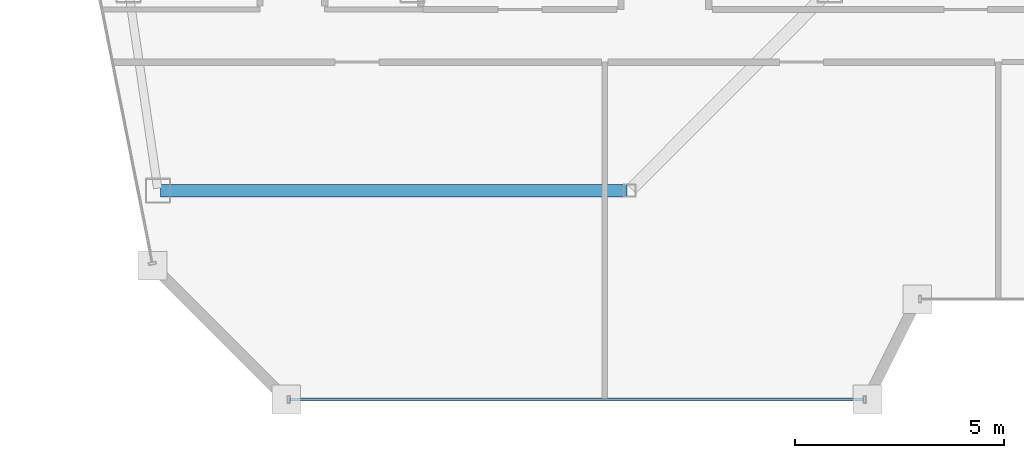
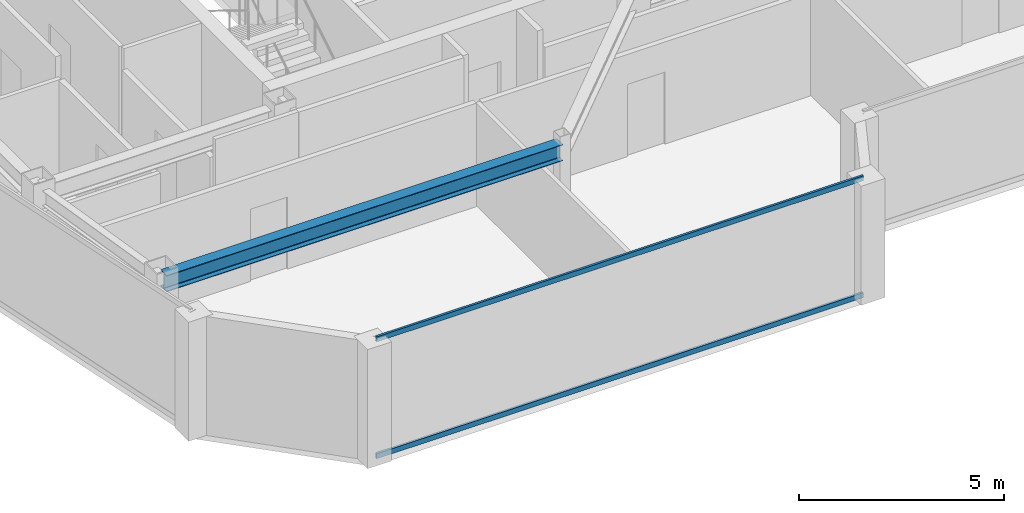
# One storey, part 4 of 24: 2 members, 1 beam, 1 element without a shape of its own.
"""IFC4 building model written with IfcOpenShell, lengths in metres."""

from ifc_helpers import new_model, si_unit, direction, frame, origin, origin_2d, place, context, subcontext, project, spatial, hollow_rectangle, i_section, extrude, material, material_profile, profile_set, type_object, element, aggregate, save


model = new_model("IFC4")

# Units and contexts
model_context = context("Model", 3, precision=1e-05, world=origin(), true_north=direction((0.0, 1.0)))
body_context = subcontext(model_context, "Body", "Model", "MODEL_VIEW")
ifc_project = project(units=[si_unit("LENGTHUNIT", "METRE"), si_unit("AREAUNIT", "SQUARE_METRE"), si_unit("VOLUMEUNIT", "CUBIC_METRE"), si_unit("PLANEANGLEUNIT", "RADIAN"), si_unit("MASSUNIT", "GRAM", prefix="KILO")], contexts=[model_context])

# Site, building, storey
site_placement = place(None, origin())
site = spatial("IfcSite", under=ifc_project, at=site_placement, CompositionType="ELEMENT")
building_placement = place(site_placement, origin())
building = spatial("IfcBuilding", under=site, at=building_placement, Name="Saevonmaru Cultural Tower", CompositionType="ELEMENT")
storey_placement = place(building_placement, frame((0.0, 0.0, 299.0)))
storey = spatial("IfcBuildingStorey", under=building, at=storey_placement, Name="L71", CompositionType="ELEMENT", Elevation=299.0)

# Beam
ifc_material_1 = material(Name="Steel SM355", Category="steel")
ifc_material_profile_1 = material_profile(ifc_material_1, i_section(OverallWidth=0.300048828125, OverallDepth=0.488037109375, WebThickness=0.010986328125, FlangeThickness=0.01806640625, FilletRadius=0.02197265625, at=origin_2d()), Name="H-488x300x11x18")
ifc_profile_set_1 = profile_set([ifc_material_profile_1], Name="Steel SM355")
beam_type = type_object("IfcBeamType", Name="BM-G-H488", PredefinedType="BEAM", material=ifc_profile_set_1)
beam_placement = place(storey_placement, frame((7.568115234375, 37.60009765625, 3.305908203125), z_axis=(1.0, 0.0, 0.0), x_axis=(0.0, 1.0, 0.0)))
element("IfcBeam", 1, at=beam_placement, inside=storey, type_object=beam_type, Name="L71 West Wing Transverse Girder 1", PredefinedType="BEAM", context=body_context, shape_type="SweptSolid", body=[
    extrude(i_section(OverallWidth=0.300048828125, OverallDepth=0.488037109375, WebThickness=0.010986328125, FlangeThickness=0.01806640625, FilletRadius=0.02197265625, at=origin_2d()), origin(), (0.0, 0.0, 1.0), 11.179931640625),
])

# Curtain wall, members
ifc_material_2 = material(Name="Satin Bronze Anodised Aluminium", Category="aluminium")
curtain_wall_type = type_object("IfcCurtainWallType", Name="CW-TYP-B", PredefinedType="NOTDEFINED", material=ifc_material_2)
curtain_wall_placement = place(storey_placement, origin())
curtain_wall = element("IfcCurtainWall", 2, at=curtain_wall_placement, inside=storey, type_object=curtain_wall_type, Name="L71 Unitised Curtain Wall E2", PredefinedType="NOTDEFINED")
ifc_material_profile_2 = material_profile(ifc_material_2, hollow_rectangle(XDim=0.06494140625, YDim=0.14990234375, WallThickness=0.00390625, at=origin_2d()), Name="ALU-TRAN-150x65x4")
ifc_profile_set_2 = profile_set([ifc_material_profile_2], Name="Satin Bronze Anodised Aluminium")
member_type = type_object("IfcMemberType", Name="TR-CW-150x65", PredefinedType="USERDEFINED", material=ifc_profile_set_2)
member_1_placement = place(storey_placement, frame((10.672607421875, 32.60009765625, 0.032470703125), z_axis=(1.0, 0.0, 0.0), x_axis=(0.0, 1.0, 0.0)))
member_1 = element("IfcMember", 3, at=member_1_placement, type_object=member_type, Name="CW-TW-L71-E2 transom 1.1", ObjectType="TRANSOM", PredefinedType="USERDEFINED", context=body_context, shape_type="SweptSolid", body=[
    extrude(hollow_rectangle(XDim=0.06494140625, YDim=0.14990234375, WallThickness=0.00390625, at=origin_2d()), origin(), (0.0, 0.0, 1.0), 13.73486328125),
])
member_2_placement = place(storey_placement, frame((10.672607421875, 32.60009765625, 3.517578125), z_axis=(1.0, 0.0, 0.0), x_axis=(0.0, 1.0, 0.0)))
member_2 = element("IfcMember", 4, at=member_2_placement, type_object=member_type, Name="CW-TW-L71-E2 transom 1.2", ObjectType="TRANSOM", PredefinedType="USERDEFINED", context=body_context, shape_type="SweptSolid", body=[
    extrude(hollow_rectangle(XDim=0.06494140625, YDim=0.14990234375, WallThickness=0.00390625, at=origin_2d()), origin(), (0.0, 0.0, 1.0), 13.73486328125),
])
aggregate(curtain_wall, [member_1, member_2])

save(model, "model.ifc")
